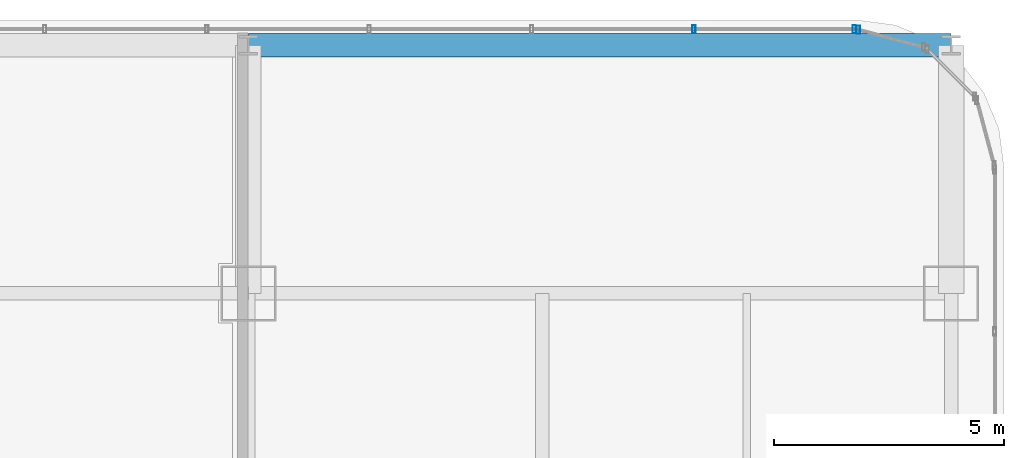
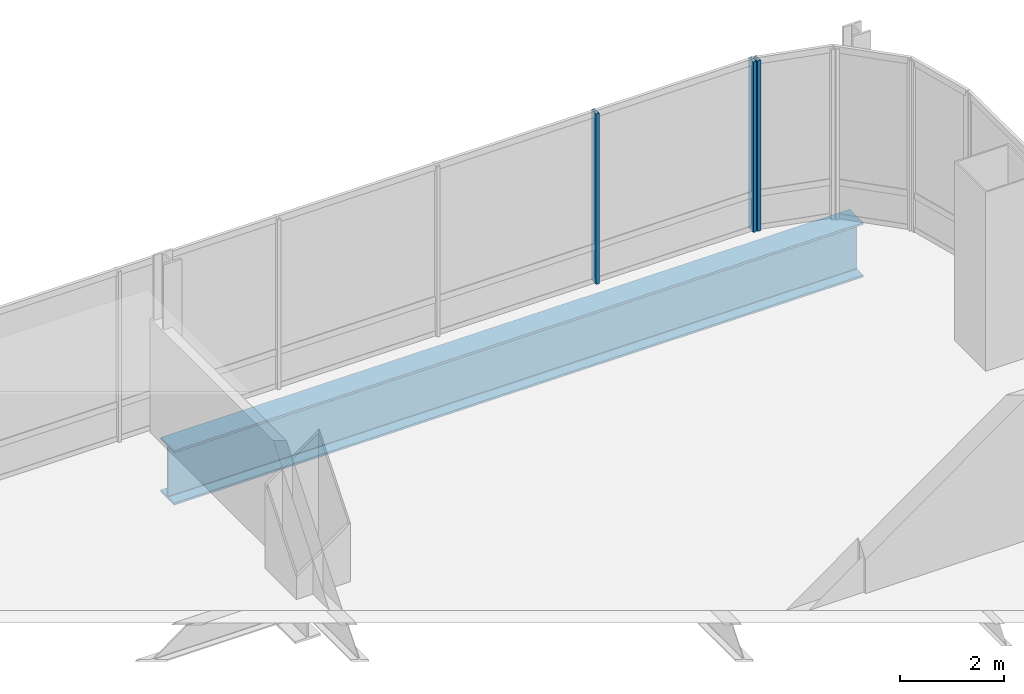
# One storey, part 30 of 41: 3 members, 1 beam, 2 elements without a shape of their own.
"""IFC4 building model written with IfcOpenShell, lengths in metres."""

from ifc_helpers import new_model, si_unit, direction, frame, origin, origin_2d, place, context, subcontext, project, spatial, hollow_rectangle, i_section, extrude, material, material_profile, profile_set, type_object, element, aggregate, save


model = new_model("IFC4")

# Units and contexts
model_context = context("Model", 3, precision=1e-05, world=origin(), true_north=direction((0.0, 1.0)))
body_context = subcontext(model_context, "Body", "Model", "MODEL_VIEW")
ifc_project = project(units=[si_unit("LENGTHUNIT", "METRE"), si_unit("AREAUNIT", "SQUARE_METRE"), si_unit("VOLUMEUNIT", "CUBIC_METRE"), si_unit("PLANEANGLEUNIT", "RADIAN"), si_unit("MASSUNIT", "GRAM", prefix="KILO")], contexts=[model_context])

# Site, building, storey
site_placement = place(None, origin())
site = spatial("IfcSite", under=ifc_project, at=site_placement, CompositionType="ELEMENT")
building_placement = place(site_placement, origin())
building = spatial("IfcBuilding", under=site, at=building_placement, Name="Punatoya Terracotta Tower", CompositionType="ELEMENT")
storey_placement = place(building_placement, frame((0.0, 0.0, 288.0)))
storey = spatial("IfcBuildingStorey", under=building, at=storey_placement, Name="L68", CompositionType="ELEMENT", Elevation=288.0)

# Beam
ifc_material_1 = material(Name="Steel S460", Category="steel")
ifc_material_profile_1 = material_profile(ifc_material_1, i_section(OverallWidth=0.52001953125, OverallDepth=1.280029296875, WebThickness=0.031982421875, FlangeThickness=0.050048828125, FilletRadius=0.01806640625, at=origin_2d()))
ifc_profile_set_1 = profile_set([ifc_material_profile_1], Name="Steel S460")
beam_type = type_object("IfcBeamType", Name="BM-TG-NCK", PredefinedType="BEAM", material=ifc_profile_set_1)
beam_placement = place(storey_placement, frame((3.800048828125, 22.89990234375, -0.840087890625), z_axis=(1.0, 0.0, 0.0), x_axis=(0.0, 1.0, 0.0)))
element("IfcBeam", 1, at=beam_placement, inside=storey, type_object=beam_type, Name="BM-L68-PER-N3", PredefinedType="BEAM", context=body_context, shape_type="SweptSolid", body=[
    extrude(i_section(OverallWidth=0.52001953125, OverallDepth=1.280029296875, WebThickness=0.031982421875, FlangeThickness=0.050048828125, FilletRadius=0.01806640625, at=origin_2d()), origin(), (0.0, 0.0, 1.0), 15.300048828125),
])

# Curtain wall, member
ifc_material_2 = material(Name="Aluminium 6063-T6 + Double Low-E Glass", Category="aluminium")
curtain_wall_type = type_object("IfcCurtainWallType", Name="CW-M3", PredefinedType="NOTDEFINED", material=ifc_material_2)
curtain_wall_1_placement = place(storey_placement, origin())
curtain_wall_1 = element("IfcCurtainWall", 2, at=curtain_wall_1_placement, inside=storey, type_object=curtain_wall_type, Name="L68 Curtain Wall CW-L68-CRN08", PredefinedType="NOTDEFINED")
ifc_material_3 = material(Name="Aluminium 6063-T6", Category="aluminium")
ifc_material_profile_2 = material_profile(ifc_material_3, hollow_rectangle(XDim=0.070068359375, YDim=0.179931640625, WallThickness=0.00390625, at=origin_2d()))
ifc_profile_set_2 = profile_set([ifc_material_profile_2], Name="Aluminium 6063-T6")
member_type = type_object("IfcMemberType", Name="CW-MUL-M3", PredefinedType="MULLION", material=ifc_profile_set_2)
member_1_placement = place(storey_placement, frame((17.080322265625, 23.23828125, 0.0), z_axis=(0.0, 0.0, 1.0), x_axis=(1.0, 0.0, 0.0)))
member_1 = element("IfcMember", 3, at=member_1_placement, type_object=member_type, Name="CW-L68-CRN08 Mullion 01", PredefinedType="MULLION", context=body_context, shape_type="SweptSolid", body=[
    extrude(hollow_rectangle(XDim=0.070068359375, YDim=0.179931640625, WallThickness=0.00390625, at=origin_2d()), origin(), (0.0, 0.0, 1.0), 4.0),
])
aggregate(curtain_wall_1, [member_1])

# Curtain wall, members
curtain_wall_2_placement = place(storey_placement, origin())
curtain_wall_2 = element("IfcCurtainWall", 4, at=curtain_wall_2_placement, inside=storey, type_object=curtain_wall_type, Name="L68 Curtain Wall CW-L68-N09-1", PredefinedType="NOTDEFINED")
member_2_placement = place(storey_placement, frame((16.991943359375, 23.25, 0.0), z_axis=(0.0, 0.0, 1.0), x_axis=(1.0, 0.0, 0.0)))
member_2 = element("IfcMember", 5, at=member_2_placement, type_object=member_type, Name="CW-L68-N09-1 Mullion 00", PredefinedType="MULLION", context=body_context, shape_type="SweptSolid", body=[
    extrude(hollow_rectangle(XDim=0.070068359375, YDim=0.179931640625, WallThickness=0.00390625, at=origin_2d()), origin(), (0.0, 0.0, 1.0), 4.0),
])
member_3_placement = place(storey_placement, frame((13.5029296875, 23.25, 0.0), z_axis=(0.0, 0.0, 1.0), x_axis=(1.0, 0.0, 0.0)))
member_3 = element("IfcMember", 6, at=member_3_placement, type_object=member_type, Name="CW-L68-N09-1 Mullion 01", PredefinedType="MULLION", context=body_context, shape_type="SweptSolid", body=[
    extrude(hollow_rectangle(XDim=0.070068359375, YDim=0.179931640625, WallThickness=0.00390625, at=origin_2d()), origin(), (0.0, 0.0, 1.0), 4.0),
])
aggregate(curtain_wall_2, [member_2, member_3])

save(model, "model.ifc")
